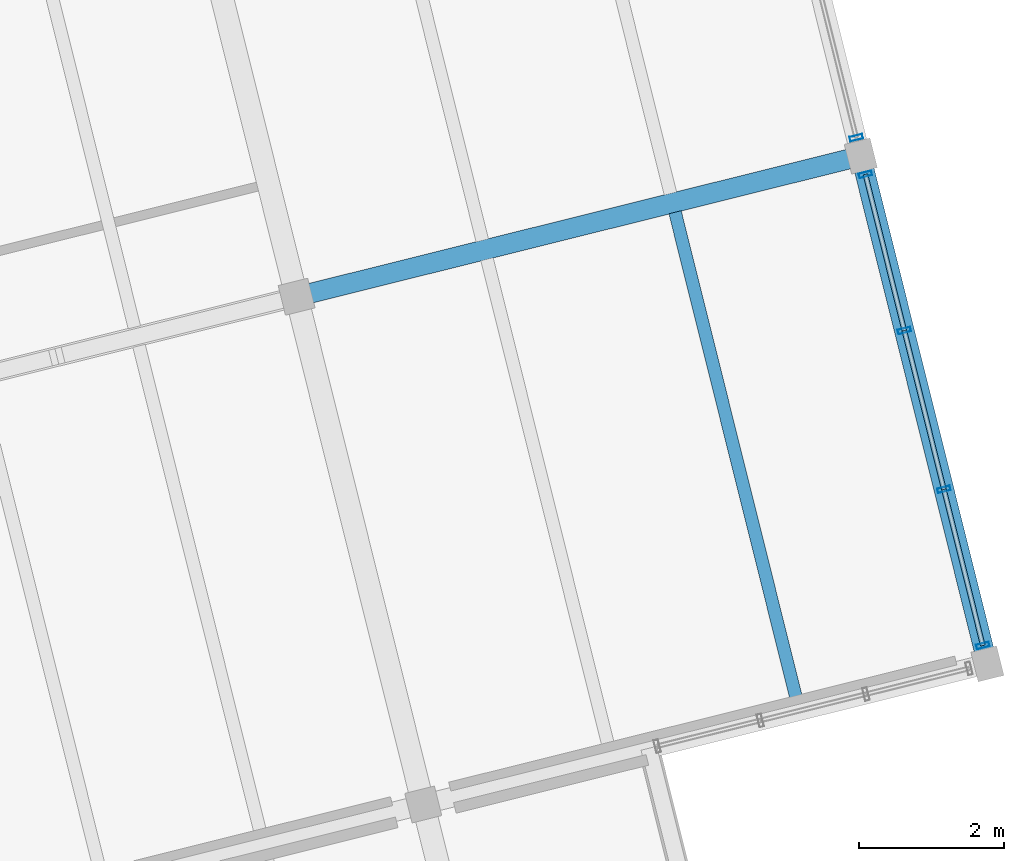
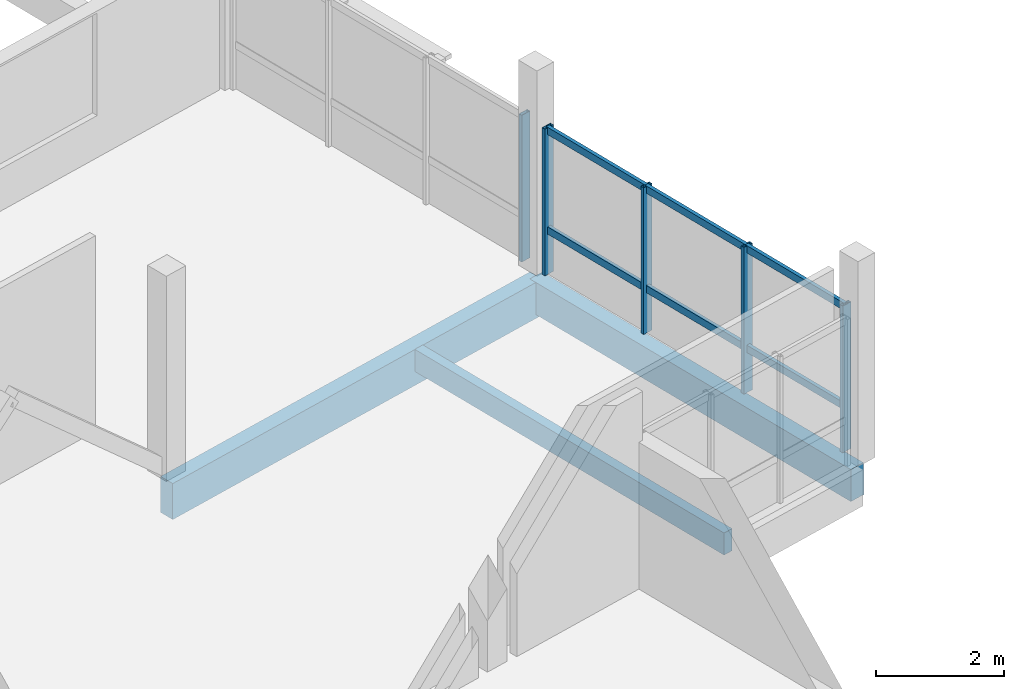
# One storey, part 15 of 27: 11 members, 3 beams, 2 elements without a shape of their own.
"""IFC4 building model written with IfcOpenShell, lengths in metres."""

import ifcopenshell
import ifcopenshell.guid

model = None  # the IFC model being written
_history = None  # IfcOwnerHistory: only IFC2X3 demands one
_inside = {}  # id of a spatial element -> (the spatial element, [elements in it])
_under = {}  # id of a project, library or spatial element -> (it, [spatial elements below it])
_declared = {}  # id of a project -> (the project, [libraries it declares])
_typed = {}  # id of a type object -> (the type object, [elements of that type])
_made_of = {}  # id of a material, layer set ... -> (it, [elements and type objects made of it])


def new_model(schema):
    """Start an empty IFC model of exactly this schema.

    Asked for "IFC4X3", IfcOpenShell would pick the latest addendum, in which some entities
    have other attributes; the version numbers below select the first issue.
    IFC2X3 requires an IfcOwnerHistory on every rooted entity: one is made here for all.
    """
    global model, _history
    if schema == "IFC4X3":
        model = ifcopenshell.file(schema_version=(4, 3, 0, 0))
    else:
        model = ifcopenshell.file(schema=schema)
    _inside.clear()
    _under.clear()
    _declared.clear()
    _typed.clear()
    _made_of.clear()
    _history = None
    if model.schema == "IFC2X3":
        org = make("IfcOrganization", Name="unknown")
        user = make(
            "IfcPersonAndOrganization",
            ThePerson=make("IfcPerson", FamilyName="unknown"),
            TheOrganization=org,
        )
        app = make(
            "IfcApplication",
            ApplicationDeveloper=org,
            Version="unknown",
            ApplicationFullName="unknown",
            ApplicationIdentifier="unknown",
        )
        _history = make(
            "IfcOwnerHistory",
            OwningUser=user,
            OwningApplication=app,
            ChangeAction="ADDED",
            CreationDate=0,
        )
    return model


def make(cls, **values):
    """One entity of the class cls with the attributes given. An attribute that is None is left unset."""
    return model.create_entity(
        cls, **{name: value for name, value in values.items() if value is not None}
    )


def rooted(cls, **values):
    """An entity with a GlobalId (a new one), such as an element, a storey or a relation."""
    return make(cls, GlobalId=ifcopenshell.guid.new(), OwnerHistory=_history, **values)


def si_unit(unit_type, name, prefix=None):
    """IfcSIUnit, for example si_unit("LENGTHUNIT", "METRE", prefix="MILLI")."""
    return make("IfcSIUnit", UnitType=unit_type, Prefix=prefix, Name=name)


def assignment(units):
    """IfcUnitAssignment: the units of a project."""
    return None if units is None else make("IfcUnitAssignment", Units=units)


def point(xyz):
    """IfcCartesianPoint."""
    return None if xyz is None else make("IfcCartesianPoint", Coordinates=xyz)


def direction(xyz):
    """IfcDirection."""
    return None if xyz is None else make("IfcDirection", DirectionRatios=xyz)


def frame(location, z_axis=None, x_axis=None):
    """IfcAxis2Placement3D, a coordinate frame: its origin and axes. An axis left out is left unset."""
    return make(
        "IfcAxis2Placement3D",
        Location=point(location),
        Axis=direction(z_axis),
        RefDirection=direction(x_axis),
    )


def frame_2d(location, x_axis=None):
    """IfcAxis2Placement2D, a coordinate frame in the plane: its origin and x axis."""
    return make(
        "IfcAxis2Placement2D", Location=point(location), RefDirection=direction(x_axis)
    )


def origin():
    """The frame at (0, 0, 0) with its axes left unset."""
    return frame((0.0, 0.0, 0.0))


def origin_2d():
    """The frame at (0, 0) in the plane with its x axis left unset."""
    return frame_2d((0.0, 0.0))


def place(relative_to, where):
    """IfcLocalPlacement: puts the frame where relative to a parent placement (None: the world)."""
    return make(
        "IfcLocalPlacement", PlacementRelTo=relative_to, RelativePlacement=where
    )


def context(
    kind, dimensions, precision=None, world=None, true_north=None, identifier=None
):
    """IfcGeometricRepresentationContext, for example the 3D "Model" context."""
    return make(
        "IfcGeometricRepresentationContext",
        ContextIdentifier=identifier,
        ContextType=kind,
        CoordinateSpaceDimension=dimensions,
        Precision=precision,
        WorldCoordinateSystem=world,
        TrueNorth=true_north,
    )


def subcontext(parent, identifier, kind, view, scale=None):
    """IfcGeometricRepresentationSubContext, for example "Body" below "Model"."""
    return make(
        "IfcGeometricRepresentationSubContext",
        ContextIdentifier=identifier,
        ContextType=kind,
        ParentContext=parent,
        TargetScale=scale,
        TargetView=view,
    )


def project(units=None, contexts=None):
    """IfcProject with its units and contexts."""
    return rooted(
        "IfcProject",
        Name="project",
        RepresentationContexts=contexts,
        UnitsInContext=assignment(units),
    )


def spatial(cls, under=None, at=None, **own):
    """A site, building, storey or space (cls), placed at a placement, below another one or the project."""
    s = rooted(cls, ObjectPlacement=at, **own)
    if under is not None:
        _under.setdefault(under.id(), (under, []))[1].append(s)
    return s


def profile(cls, at=None, kind="AREA", **sizes):
    """A parametric profile (cls). Its sizes go by their IFC names, for example OverallWidth=200.0."""
    return make(cls, ProfileType=kind, Position=at, **sizes)


def rectangle(**sizes):
    """IfcRectangleProfileDef."""
    return profile("IfcRectangleProfileDef", **sizes)


def hollow_rectangle(**sizes):
    """IfcRectangleHollowProfileDef."""
    return profile("IfcRectangleHollowProfileDef", **sizes)


def extrude(swept, where, along, depth):
    """IfcExtrudedAreaSolid: the profile swept, set in the frame where, extruded along a direction by depth."""
    return make(
        "IfcExtrudedAreaSolid",
        SweptArea=swept,
        Position=where,
        ExtrudedDirection=direction(along),
        Depth=depth,
    )


def shape(context_of_items, identifier, shape_type, items):
    """IfcShapeRepresentation: the items that make up one representation, for example the "Body"."""
    return make(
        "IfcShapeRepresentation",
        ContextOfItems=context_of_items,
        RepresentationIdentifier=identifier,
        RepresentationType=shape_type,
        Items=items,
    )


def material(Name=None, Category=None):
    """IfcMaterial."""
    return make("IfcMaterial", Name=Name, Category=Category)


def layer(
    of_material, thickness, ventilated=None, Name=None, Category=None, Priority=None
):
    """IfcMaterialLayer: one layer of a wall or slab, of a material (None: an air gap)."""
    return make(
        "IfcMaterialLayer",
        Material=of_material,
        LayerThickness=thickness,
        IsVentilated=ventilated,
        Name=Name,
        Category=Category,
        Priority=Priority,
    )


def layer_set(layers, Name=None):
    """IfcMaterialLayerSet."""
    return make("IfcMaterialLayerSet", MaterialLayers=layers, LayerSetName=Name)


def material_profile(
    of_material, cross_section, Name=None, Category=None, Priority=None
):
    """IfcMaterialProfile: a cross section and its material."""
    return make(
        "IfcMaterialProfile",
        Name=Name,
        Material=of_material,
        Profile=cross_section,
        Priority=Priority,
        Category=Category,
    )


def profile_set(profiles, Name=None, composite=None):
    """IfcMaterialProfileSet."""
    return make(
        "IfcMaterialProfileSet",
        Name=Name,
        MaterialProfiles=profiles,
        CompositeProfile=composite,
    )


def made_of(thing, what):
    """Note that an element or type object is made of a material, layer set ...; save() writes the relation."""
    if what is not None:
        _made_of.setdefault(what.id(), (what, []))[1].append(thing)
    return thing


def type_object(cls, material=None, **own):
    """A type object (cls), such as IfcWallType, which elements share."""
    return made_of(rooted(cls, **own), material)


def element(
    cls,
    number,
    at=None,
    inside=None,
    cuts=None,
    type_object=None,
    material=None,
    context=None,
    identifier="Body",
    shape_type=None,
    held_by="IfcProductDefinitionShape",
    body=None,
    shapes=None,
    **own,
):
    """One element of the class cls, such as IfcWall. Its Tag is "e" and its number.

    at: its placement. inside: the storey or other place that contains it. cuts: it is an
    opening in that element (IfcRelVoidsElement). A single representation is given by context,
    identifier, shape_type and body (its items); several are given by shapes. held_by: the class
    of the entity that holds the representations. save() writes the other relations.
    """
    e = rooted(cls, Tag="e%d" % number, ObjectPlacement=at, **own)
    if body is not None:
        shapes = [shape(context, identifier, shape_type, body)]
    if shapes is not None:
        e.Representation = make(held_by, Representations=shapes)
    if inside is not None:
        _inside.setdefault(inside.id(), (inside, []))[1].append(e)
    if cuts is not None:
        rooted(
            "IfcRelVoidsElement", RelatingBuildingElement=cuts, RelatedOpeningElement=e
        )
    if type_object is not None:
        _typed.setdefault(type_object.id(), (type_object, []))[1].append(e)
    return made_of(e, material)


def aggregate(whole, parts):
    """IfcRelAggregates: a whole, such as a stair, and the parts it consists of."""
    return rooted("IfcRelAggregates", RelatingObject=whole, RelatedObjects=parts)


def save(model, path):
    """Write the relations noted so far, then the file.

    IfcRelAggregates (storeys below a building ...), IfcRelContainedInSpatialStructure (elements
    in a storey), IfcRelDefinesByType, IfcRelAssociatesMaterial and IfcRelDeclares: one each for
    every whole, place, type object, material and project.
    """
    for whole, parts in _under.values():
        aggregate(whole, parts)
    for where, things in _inside.values():
        rooted(
            "IfcRelContainedInSpatialStructure",
            RelatedElements=things,
            RelatingStructure=where,
        )
    for kind, things in _typed.values():
        rooted("IfcRelDefinesByType", RelatedObjects=things, RelatingType=kind)
    for what, things in _made_of.values():
        rooted("IfcRelAssociatesMaterial", RelatedObjects=things, RelatingMaterial=what)
    for by, libraries in _declared.values():
        rooted("IfcRelDeclares", RelatingContext=by, RelatedDefinitions=libraries)
    model.write(path)


model = new_model("IFC4")

# Units and contexts
model_context = context("Model", 3, precision=1e-05, world=origin(), true_north=direction((0.0, 1.0)))
body_context = subcontext(model_context, "Body", "Model", "MODEL_VIEW")
ifc_project = project(units=[si_unit("LENGTHUNIT", "METRE"), si_unit("AREAUNIT", "SQUARE_METRE"), si_unit("VOLUMEUNIT", "CUBIC_METRE"), si_unit("PLANEANGLEUNIT", "RADIAN"), si_unit("MASSUNIT", "GRAM", prefix="KILO")], contexts=[model_context])

# Site, building, storey
site_placement = place(None, origin())
site = spatial("IfcSite", under=ifc_project, at=site_placement, CompositionType="ELEMENT")
building_placement = place(site_placement, origin())
building = spatial("IfcBuilding", under=site, at=building_placement, Name="Meriwether Solvik Hall", CompositionType="ELEMENT")
storey_placement = place(building_placement, frame((0.0, 0.0, 33.89990234375)))
storey = spatial("IfcBuildingStorey", under=building, at=storey_placement, Name="L08", CompositionType="ELEMENT", Elevation=33.89990234375)

# Beams
ifc_material_1 = material(Name="Glulam Douglas-Fir 24F-V8 GL28h", Category="wood")
ifc_material_profile_1 = material_profile(ifc_material_1, rectangle(XDim=0.27294921875, YDim=0.610107421875, at=origin_2d()), Name="GLB-273X610")
ifc_profile_set_1 = profile_set([ifc_material_profile_1], Name="Glulam Douglas-Fir 24F-V8 GL28h")
beam_type_1 = type_object("IfcBeamType", Name="BM-GL-273X610", PredefinedType="SPANDREL", material=ifc_profile_set_1)
beam_1_placement = place(storey_placement, frame((107.95458984375, 65.234619140625, -0.48486328125), z_axis=(-0.241937193493, 0.970291911955, 0.0), x_axis=(-0.970291911955, -0.241937193493, 0.0)))
element("IfcBeam", 1, at=beam_1_placement, inside=storey, type_object=beam_type_1, Name="Tower Girder T7:TC-TD (L08)", PredefinedType="SPANDREL", context=body_context, shape_type="SweptSolid", body=[
    extrude(rectangle(XDim=0.27294921875, YDim=0.610107421875, at=origin_2d()), origin(), (0.0, 0.0, 1.0), 7.199951171875),
])
ifc_material_2 = material(Name="Glulam Douglas-Fir 24F-V8 GL28h", Category="wood")
ifc_material_profile_2 = material_profile(ifc_material_2, rectangle(XDim=0.27294921875, YDim=0.68505859375, at=origin_2d()), Name="GLB-273X685")
ifc_profile_set_2 = profile_set([ifc_material_profile_2], Name="Glulam Douglas-Fir 24F-V8 GL28h")
beam_type_2 = type_object("IfcBeamType", Name="BM-GL-273X685", PredefinedType="BEAM", material=ifc_profile_set_2)
beam_2_placement = place(storey_placement, frame((98.4501953125, 70.285400390625, -0.5224609375), z_axis=(0.970298475929, 0.241910867076, 0.0), x_axis=(-0.241910867076, 0.970298475929, 0.0)))
element("IfcBeam", 2, at=beam_2_placement, inside=storey, type_object=beam_type_2, Name="Tower Girder TD:T6-T7 (L08)", PredefinedType="BEAM", context=body_context, shape_type="SweptSolid", body=[
    extrude(rectangle(XDim=0.27294921875, YDim=0.68505859375, at=origin_2d()), origin(), (0.0, 0.0, 1.0), 8.0),
])

# Curtain wall, members
ifc_material_3 = material(Name="Thermally Broken Anodised Aluminium 6063-T6 and Low-E Glass", Category="aluminium")
ifc_layer_1 = layer(ifc_material_3, 0.179931640625)
ifc_layer_set_1 = layer_set([ifc_layer_1], Name="Thermally Broken Anodised Aluminium 6063-T6 and Low-E Glass")
curtain_wall_type_1 = type_object("IfcCurtainWallType", Name="CW-UNIT-B", PredefinedType="USERDEFINED", material=ifc_layer_set_1)
curtain_wall_1_placement = place(storey_placement, origin())
curtain_wall_1 = element("IfcCurtainWall", 3, at=curtain_wall_1_placement, inside=storey, type_object=curtain_wall_type_1, Name="Curtain Wall E3_B0 (L08)", ObjectType="UNITISED CURTAIN WALL", PredefinedType="USERDEFINED")
ifc_material_4 = material(Name="Anodised Aluminium 6063-T6", Category="aluminium")
ifc_material_profile_3 = material_profile(ifc_material_4, hollow_rectangle(XDim=0.06494140625, YDim=0.179931640625, WallThickness=0.00439453125, at=origin_2d()), Name="CWM-65X180")
ifc_profile_set_3 = profile_set([ifc_material_profile_3], Name="Anodised Aluminium 6063-T6")
member_type_1 = type_object("IfcMemberType", Name="CW-MUL-65X180", PredefinedType="MULLION", material=ifc_profile_set_3)
member_1_placement = place(storey_placement, frame((106.275634765625, 71.968505859375, 0.0), z_axis=(0.0, 0.0, 1.0), x_axis=(0.241921847539, -0.970295738259, 0.0)))
member_1 = element("IfcMember", 4, at=member_1_placement, type_object=member_type_1, Name="Curtain Wall Mullion 1", PredefinedType="MULLION", context=body_context, shape_type="SweptSolid", body=[
    extrude(hollow_rectangle(XDim=0.06494140625, YDim=0.179931640625, WallThickness=0.00439453125, at=origin_2d()), origin(), (0.0, 0.0, 1.0), 2.7900390625),
])
member_2_placement = place(storey_placement, frame((106.811279296875, 69.8203125, 0.0), z_axis=(0.0, 0.0, 1.0), x_axis=(0.241921847539, -0.970295738259, 0.0)))
member_2 = element("IfcMember", 5, at=member_2_placement, type_object=member_type_1, Name="Curtain Wall Mullion 2", PredefinedType="MULLION", context=body_context, shape_type="SweptSolid", body=[
    extrude(hollow_rectangle(XDim=0.06494140625, YDim=0.179931640625, WallThickness=0.00439453125, at=origin_2d()), origin(), (0.0, 0.0, 1.0), 2.7900390625),
])
member_3_placement = place(storey_placement, frame((107.35595703125, 67.63525390625, 0.0), z_axis=(0.0, 0.0, 1.0), x_axis=(0.241921847539, -0.970295738259, 0.0)))
member_3 = element("IfcMember", 6, at=member_3_placement, type_object=member_type_1, Name="Curtain Wall Mullion 3", PredefinedType="MULLION", context=body_context, shape_type="SweptSolid", body=[
    extrude(hollow_rectangle(XDim=0.06494140625, YDim=0.179931640625, WallThickness=0.00439453125, at=origin_2d()), origin(), (0.0, 0.0, 1.0), 2.7900390625),
])
member_4_placement = place(storey_placement, frame((107.8916015625, 65.48681640625, 0.0), z_axis=(0.0, 0.0, 1.0), x_axis=(0.241921847539, -0.970295738259, 0.0)))
member_4 = element("IfcMember", 7, at=member_4_placement, type_object=member_type_1, Name="Curtain Wall Mullion 4", PredefinedType="MULLION", context=body_context, shape_type="SweptSolid", body=[
    extrude(hollow_rectangle(XDim=0.06494140625, YDim=0.179931640625, WallThickness=0.00439453125, at=origin_2d()), origin(), (0.0, 0.0, 1.0), 2.7900390625),
])

# Curtain wall, member
ifc_material_5 = material(Name="Thermally Broken Anodised Aluminium 6063-T6 and Low-E Glass", Category="aluminium")
ifc_layer_2 = layer(ifc_material_5, 0.179931640625)
ifc_layer_set_2 = layer_set([ifc_layer_2], Name="Thermally Broken Anodised Aluminium 6063-T6 and Low-E Glass")
curtain_wall_type_2 = type_object("IfcCurtainWallType", Name="CW-UNIT-C", PredefinedType="USERDEFINED", material=ifc_layer_set_2)
curtain_wall_2_placement = place(storey_placement, origin())
curtain_wall_2 = element("IfcCurtainWall", 8, at=curtain_wall_2_placement, inside=storey, type_object=curtain_wall_type_2, Name="Curtain Wall E3_B1 (L08)", ObjectType="UNITISED CURTAIN WALL", PredefinedType="USERDEFINED")
member_5_placement = place(storey_placement, frame((106.149658203125, 72.47314453125, 0.0), z_axis=(0.0, 0.0, 1.0), x_axis=(0.241921751704, -0.970295762153, 0.0)))
member_5 = element("IfcMember", 9, at=member_5_placement, type_object=member_type_1, Name="Curtain Wall Mullion 4", PredefinedType="MULLION", context=body_context, shape_type="SweptSolid", body=[
    extrude(hollow_rectangle(XDim=0.06494140625, YDim=0.179931640625, WallThickness=0.00439453125, at=origin_2d()), origin(), (0.0, 0.0, 1.0), 2.7900390625),
])
aggregate(curtain_wall_2, [member_5])

# Member
ifc_material_6 = material(Name="Anodised Aluminium 6063-T6", Category="aluminium")
ifc_material_profile_4 = material_profile(ifc_material_6, hollow_rectangle(XDim=0.06494140625, YDim=0.139892578125, WallThickness=0.00439453125, at=origin_2d()), Name="CWT-65X140")
ifc_profile_set_4 = profile_set([ifc_material_profile_4], Name="Anodised Aluminium 6063-T6")
member_type_2 = type_object("IfcMemberType", Name="CW-TRN-65X140", PredefinedType="USERDEFINED", material=ifc_profile_set_4)
member_6_placement = place(storey_placement, frame((106.275634765625, 71.968505859375, 0.837158203125), z_axis=(0.241938808, -0.970291509385, 0.0), x_axis=(0.970291509385, 0.241938808, 0.0)))
member_6 = element("IfcMember", 10, at=member_6_placement, type_object=member_type_2, Name="Curtain Wall Transom 1-sill", ObjectType="TRANSOM", PredefinedType="USERDEFINED", context=body_context, shape_type="SweptSolid", body=[
    extrude(hollow_rectangle(XDim=0.06494140625, YDim=0.139892578125, WallThickness=0.00439453125, at=origin_2d()), origin(), (0.0, 0.0, 1.0), 2.2138671875),
])

member_7_placement = place(storey_placement, frame((106.275634765625, 71.968505859375, 2.72998046875), z_axis=(0.241938808, -0.970291509385, 0.0), x_axis=(0.970291509385, 0.241938808, 0.0)))
member_7 = element("IfcMember", 11, at=member_7_placement, type_object=member_type_2, Name="Curtain Wall Transom 1-head", ObjectType="TRANSOM", PredefinedType="USERDEFINED", context=body_context, shape_type="SweptSolid", body=[
    extrude(hollow_rectangle(XDim=0.06494140625, YDim=0.139892578125, WallThickness=0.00439453125, at=origin_2d()), origin(), (0.0, 0.0, 1.0), 2.2138671875),
])

member_8_placement = place(storey_placement, frame((106.811279296875, 69.8203125, 0.837158203125), z_axis=(0.241872327867, -0.970308083555, 0.0), x_axis=(0.970308083555, 0.241872327867, 0.0)))
member_8 = element("IfcMember", 12, at=member_8_placement, type_object=member_type_2, Name="Curtain Wall Transom 2-sill", ObjectType="TRANSOM", PredefinedType="USERDEFINED", context=body_context, shape_type="SweptSolid", body=[
    extrude(hollow_rectangle(XDim=0.06494140625, YDim=0.139892578125, WallThickness=0.00439453125, at=origin_2d()), origin(), (0.0, 0.0, 1.0), 2.251953125),
])

member_9_placement = place(storey_placement, frame((106.811279296875, 69.8203125, 2.72998046875), z_axis=(0.241872327867, -0.970308083555, 0.0), x_axis=(0.970308083555, 0.241872327867, 0.0)))
member_9 = element("IfcMember", 13, at=member_9_placement, type_object=member_type_2, Name="Curtain Wall Transom 2-head", ObjectType="TRANSOM", PredefinedType="USERDEFINED", context=body_context, shape_type="SweptSolid", body=[
    extrude(hollow_rectangle(XDim=0.06494140625, YDim=0.139892578125, WallThickness=0.00439453125, at=origin_2d()), origin(), (0.0, 0.0, 1.0), 2.251953125),
])

member_10_placement = place(storey_placement, frame((107.35595703125, 67.63525390625, 0.837158203125), z_axis=(0.241912923984, -0.970297963107, 0.0), x_axis=(0.970297963107, 0.241912923984, 0.0)))
member_10 = element("IfcMember", 14, at=member_10_placement, type_object=member_type_2, Name="Curtain Wall Transom 3-sill", ObjectType="TRANSOM", PredefinedType="USERDEFINED", context=body_context, shape_type="SweptSolid", body=[
    extrude(hollow_rectangle(XDim=0.06494140625, YDim=0.139892578125, WallThickness=0.00439453125, at=origin_2d()), origin(), (0.0, 0.0, 1.0), 2.214111328125),
])

member_11_placement = place(storey_placement, frame((107.35595703125, 67.63525390625, 2.72998046875), z_axis=(0.241912923984, -0.970297963107, 0.0), x_axis=(0.970297963107, 0.241912923984, 0.0)))
member_11 = element("IfcMember", 15, at=member_11_placement, type_object=member_type_2, Name="Curtain Wall Transom 3-head", ObjectType="TRANSOM", PredefinedType="USERDEFINED", context=body_context, shape_type="SweptSolid", body=[
    extrude(hollow_rectangle(XDim=0.06494140625, YDim=0.139892578125, WallThickness=0.00439453125, at=origin_2d()), origin(), (0.0, 0.0, 1.0), 2.214111328125),
])

aggregate(curtain_wall_1, [member_1, member_2, member_3, member_4, member_6, member_7, member_8, member_9, member_10, member_11])

# Beam
ifc_material_7 = material(Name="Glulam Douglas-Fir 24F-V8 GL28h", Category="wood")
ifc_material_profile_5 = material_profile(ifc_material_7, rectangle(XDim=0.175048828125, YDim=0.419921875, at=origin_2d()), Name="GLJ-175X420")
ifc_profile_set_5 = profile_set([ifc_material_profile_5], Name="Glulam Douglas-Fir 24F-V8 GL28h")
beam_type_3 = type_object("IfcBeamType", Name="JST-GL-175X420", PredefinedType="JOIST", material=ifc_profile_set_5)
beam_3_placement = place(storey_placement, frame((105.335205078125, 64.717041015625, -0.389892578125), z_axis=(-0.241922788949, 0.970295503539, 0.0), x_axis=(-0.970295503539, -0.241922788949, 0.0)))
element("IfcBeam", 16, at=beam_3_placement, inside=storey, type_object=beam_type_3, Name="Glulam Floor Joist T6/TC-J2 (L08)", PredefinedType="JOIST", context=body_context, shape_type="SweptSolid", body=[
    extrude(rectangle(XDim=0.175048828125, YDim=0.419921875, at=origin_2d()), origin(), (0.0, 0.0, 1.0), 6.93701171875),
])

save(model, "model.ifc")
